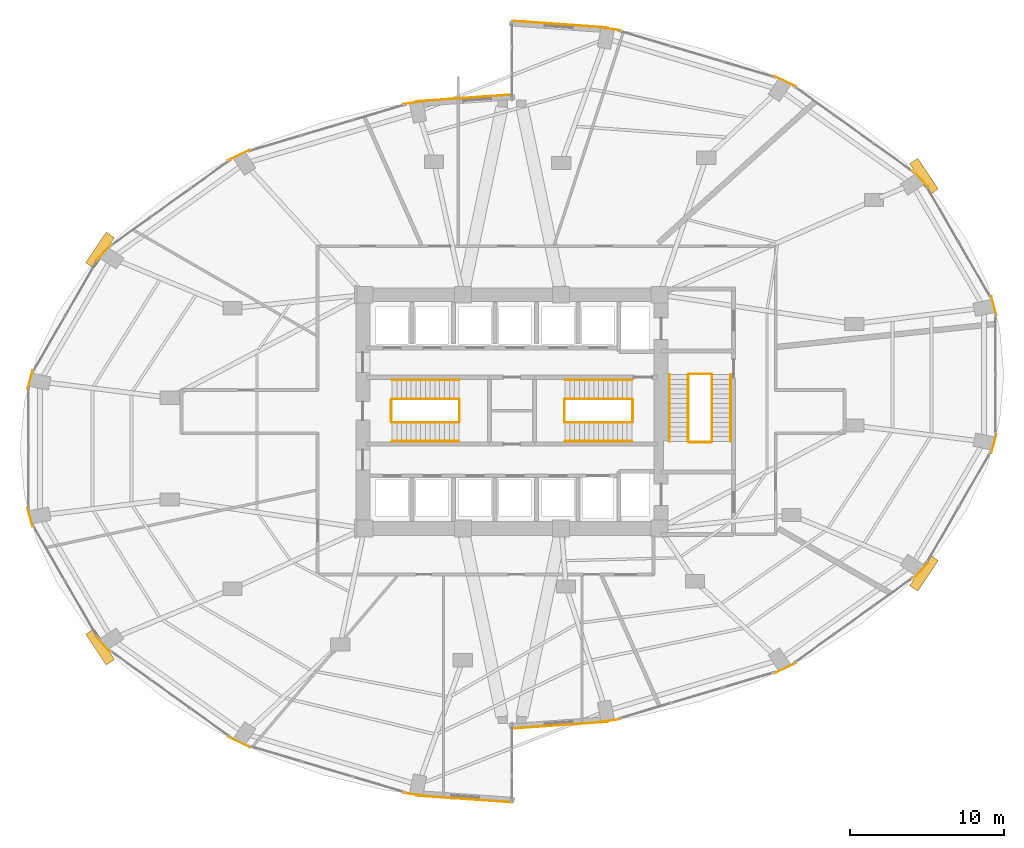
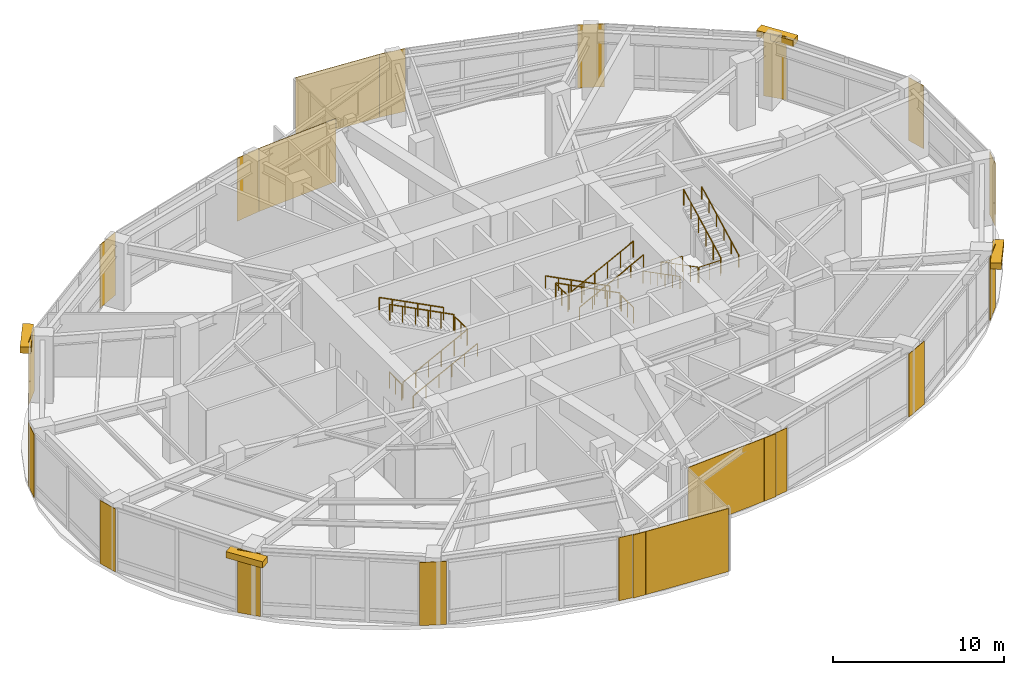
# One storey, part 24 of 24: 20 coverings, 18 railings, 4 shading devices.
"""IFC4 building model written with IfcOpenShell, lengths in metres."""

from ifc_helpers import new_model, si_unit, direction, frame, origin, origin_2d, place, context, subcontext, project, spatial, rectangle, circle, extrude, material, layer, layer_set, type_object, element, save


model = new_model("IFC4")

# Units and contexts
model_context = context("Model", 3, precision=1e-05, world=origin(), true_north=direction((0.0, 1.0)))
body_context = subcontext(model_context, "Body", "Model", "MODEL_VIEW")
ifc_project = project(units=[si_unit("LENGTHUNIT", "METRE"), si_unit("AREAUNIT", "SQUARE_METRE"), si_unit("VOLUMEUNIT", "CUBIC_METRE"), si_unit("PLANEANGLEUNIT", "RADIAN"), si_unit("MASSUNIT", "GRAM", prefix="KILO")], contexts=[model_context])

# Site, building, storey
site_placement = place(None, origin())
site = spatial("IfcSite", under=ifc_project, at=site_placement, CompositionType="ELEMENT")
building_placement = place(site_placement, origin())
building = spatial("IfcBuilding", under=site, at=building_placement, Name="Lazwardi Medical Tower", CompositionType="ELEMENT")
storey_placement = place(building_placement, frame((0.0, 0.0, 6.0)))
storey = spatial("IfcBuildingStorey", under=building, at=storey_placement, Name="L01", CompositionType="ELEMENT", Elevation=6.0)

# Coverings
ifc_material_1 = material(Name="Anodised bronze aluminium cassette cladding", Category="aluminium")
ifc_layer_1 = layer(ifc_material_1, 0.030029296875)
ifc_layer_set_1 = layer_set([ifc_layer_1], Name="Anodised bronze aluminium cassette cladding")
covering_type_1 = type_object("IfcCoveringType", Name="COV-CLD-BRZ", PredefinedType="CLADDING", material=ifc_layer_set_1)
covering_1_placement = place(storey_placement, frame((42.234375, 7.881591796875, 0.0), z_axis=(0.0, 0.0, 1.0), x_axis=(0.989942587141, 0.141469693453, 0.0)))
element("IfcCovering", 1, at=covering_1_placement, inside=storey, type_object=covering_type_1, Name="L01 Mega-column bronze cassette cover M01", PredefinedType="CLADDING", context=body_context, shape_type="SweptSolid", body=[
    extrude(rectangle(XDim=1.71337890625, YDim=0.030029296875, at=origin_2d()), origin(), (0.0, 0.0, 1.0), 4.52001953125),
])
covering_2_placement = place(storey_placement, frame((53.75390625, 11.309814453125, 0.0), z_axis=(0.0, 0.0, 1.0), x_axis=(0.901483824326, 0.432812793801, 0.0)))
element("IfcCovering", 2, at=covering_2_placement, inside=storey, type_object=covering_type_1, Name="L01 Mega-column bronze cassette cover M02", PredefinedType="CLADDING", context=body_context, shape_type="SweptSolid", body=[
    extrude(rectangle(XDim=1.59521484375, YDim=0.030029296875, at=origin_2d()), origin(), (0.0, 0.0, 1.0), 4.52001953125),
])
covering_3_placement = place(storey_placement, frame((62.57080078125, 17.644287109375, 0.0), z_axis=(0.0, 0.0, 1.0), x_axis=(0.681018709816, 0.732266015107, 0.0)))
element("IfcCovering", 3, at=covering_3_placement, inside=storey, type_object=covering_type_1, Name="L01 Mega-column bronze cassette cover M03", PredefinedType="CLADDING", context=body_context, shape_type="SweptSolid", body=[
    extrude(rectangle(XDim=1.410888671875, YDim=0.030029296875, at=origin_2d()), origin(), (0.0, 0.0, 1.0), 4.52001953125),
])
for number, where, z_axis, x_axis, name in (
    (4, (67.34228515625, 25.9208984375, 0.0), (0.0, 0.0, 1.0), (0.266836390112, 0.9637418435, 0.0), "L01 Mega-column bronze cassette cover M04"),
    (5, (67.34228515625, 34.879150390625, 0.0), (0.0, 0.0, 1.0), (-0.266836390112, 0.9637418435, 0.0), "L01 Mega-column bronze cassette cover M05"),
):
    element("IfcCovering", number, at=place(storey_placement, frame(where, z_axis=z_axis, x_axis=x_axis)), inside=storey, type_object=covering_type_1, Name=name, PredefinedType="CLADDING", context=body_context, shape_type="SweptSolid", body=[
        extrude(rectangle(XDim=1.264404296875, YDim=0.030029296875, at=origin_2d()), origin(), (0.0, 0.0, 1.0), 4.52001953125),
    ])
covering_4_placement = place(storey_placement, frame((62.57080078125, 43.155517578125, 0.0), z_axis=(0.0, 0.0, 1.0), x_axis=(-0.681018709816, 0.732266015107, 0.0)))
element("IfcCovering", 6, at=covering_4_placement, inside=storey, type_object=covering_type_1, Name="L01 Mega-column bronze cassette cover M06", PredefinedType="CLADDING", context=body_context, shape_type="SweptSolid", body=[
    extrude(rectangle(XDim=1.410888671875, YDim=0.030029296875, at=origin_2d()), origin(), (0.0, 0.0, 1.0), 4.52001953125),
])
covering_5_placement = place(storey_placement, frame((53.75390625, 49.490234375, 0.0), z_axis=(0.0, 0.0, 1.0), x_axis=(-0.901483824326, 0.432812793801, 0.0)))
element("IfcCovering", 7, at=covering_5_placement, inside=storey, type_object=covering_type_1, Name="L01 Mega-column bronze cassette cover M07", PredefinedType="CLADDING", context=body_context, shape_type="SweptSolid", body=[
    extrude(rectangle(XDim=1.59521484375, YDim=0.030029296875, at=origin_2d()), origin(), (0.0, 0.0, 1.0), 4.52001953125),
])
for number, where, z_axis, x_axis, name in (
    (8, (42.234375, 52.91845703125, 0.0), (0.0, 0.0, 1.0), (-0.989942587141, 0.141469693453, 0.0), "L01 Mega-column bronze cassette cover M08"),
    (9, (29.765625, 48.118408203125, 0.0), (0.0, 0.0, 1.0), (-0.989942587141, -0.141469693453, 0.0), "L01 Mega-column bronze cassette cover M09"),
):
    element("IfcCovering", number, at=place(storey_placement, frame(where, z_axis=z_axis, x_axis=x_axis)), inside=storey, type_object=covering_type_1, Name=name, PredefinedType="CLADDING", context=body_context, shape_type="SweptSolid", body=[
        extrude(rectangle(XDim=1.71337890625, YDim=0.030029296875, at=origin_2d()), origin(), (0.0, 0.0, 1.0), 4.52001953125),
    ])
covering_6_placement = place(storey_placement, frame((18.24609375, 44.690185546875, 0.0), z_axis=(0.0, 0.0, 1.0), x_axis=(-0.901483824326, -0.432812793801, 0.0)))
element("IfcCovering", 10, at=covering_6_placement, inside=storey, type_object=covering_type_1, Name="L01 Mega-column bronze cassette cover M10", PredefinedType="CLADDING", context=body_context, shape_type="SweptSolid", body=[
    extrude(rectangle(XDim=1.59521484375, YDim=0.030029296875, at=origin_2d()), origin(), (0.0, 0.0, 1.0), 4.52001953125),
])
covering_7_placement = place(storey_placement, frame((9.42919921875, 38.355712890625, 0.0), z_axis=(0.0, 0.0, 1.0), x_axis=(-0.681018709816, -0.732266015107, 0.0)))
element("IfcCovering", 11, at=covering_7_placement, inside=storey, type_object=covering_type_1, Name="L01 Mega-column bronze cassette cover M11", PredefinedType="CLADDING", context=body_context, shape_type="SweptSolid", body=[
    extrude(rectangle(XDim=1.410888671875, YDim=0.030029296875, at=origin_2d()), origin(), (0.0, 0.0, 1.0), 4.52001953125),
])
for number, where, z_axis, x_axis, name in (
    (12, (4.65771484375, 30.0791015625, 0.0), (0.0, 0.0, 1.0), (-0.266836390112, -0.9637418435, 0.0), "L01 Mega-column bronze cassette cover M12"),
    (13, (4.65771484375, 21.120849609375, 0.0), (0.0, 0.0, 1.0), (0.266836390112, -0.9637418435, 0.0), "L01 Mega-column bronze cassette cover M13"),
):
    element("IfcCovering", number, at=place(storey_placement, frame(where, z_axis=z_axis, x_axis=x_axis)), inside=storey, type_object=covering_type_1, Name=name, PredefinedType="CLADDING", context=body_context, shape_type="SweptSolid", body=[
        extrude(rectangle(XDim=1.264404296875, YDim=0.030029296875, at=origin_2d()), origin(), (0.0, 0.0, 1.0), 4.52001953125),
    ])
covering_8_placement = place(storey_placement, frame((9.42919921875, 12.844482421875, 0.0), z_axis=(0.0, 0.0, 1.0), x_axis=(0.681018709816, -0.732266015107, 0.0)))
element("IfcCovering", 14, at=covering_8_placement, inside=storey, type_object=covering_type_1, Name="L01 Mega-column bronze cassette cover M14", PredefinedType="CLADDING", context=body_context, shape_type="SweptSolid", body=[
    extrude(rectangle(XDim=1.410888671875, YDim=0.030029296875, at=origin_2d()), origin(), (0.0, 0.0, 1.0), 4.52001953125),
])
covering_9_placement = place(storey_placement, frame((18.24609375, 6.509765625, 0.0), z_axis=(0.0, 0.0, 1.0), x_axis=(0.901483824326, -0.432812793801, 0.0)))
element("IfcCovering", 15, at=covering_9_placement, inside=storey, type_object=covering_type_1, Name="L01 Mega-column bronze cassette cover M15", PredefinedType="CLADDING", context=body_context, shape_type="SweptSolid", body=[
    extrude(rectangle(XDim=1.59521484375, YDim=0.030029296875, at=origin_2d()), origin(), (0.0, 0.0, 1.0), 4.52001953125),
])
covering_10_placement = place(storey_placement, frame((29.765625, 3.08154296875, 0.0), z_axis=(0.0, 0.0, 1.0), x_axis=(0.989942587141, -0.141469693453, 0.0)))
element("IfcCovering", 16, at=covering_10_placement, inside=storey, type_object=covering_type_1, Name="L01 Mega-column bronze cassette cover M16", PredefinedType="CLADDING", context=body_context, shape_type="SweptSolid", body=[
    extrude(rectangle(XDim=1.71337890625, YDim=0.030029296875, at=origin_2d()), origin(), (0.0, 0.0, 1.0), 4.52001953125),
])
ifc_material_2 = material(Name="Turquoise glazed ceramic tilework cladding", Category="masonry")
ifc_layer_2 = layer(ifc_material_2, 0.034912109375)
ifc_layer_set_2 = layer_set([ifc_layer_2], Name="Turquoise glazed ceramic tilework cladding")
covering_type_2 = type_object("IfcCoveringType", Name="COV-CLD-TRQ", PredefinedType="CLADDING", material=ifc_layer_set_2)
for number, where, z_axis, x_axis, name in (
    (17, (39.1181640625, 7.6044921875, 0.0), (0.0, 0.0, 1.0), (0.997513140153, 0.070480743625, 0.0), "L01 Turquoise glazed ceramic tilework cladding"),
    (18, (39.1181640625, 53.195556640625, 0.0), (0.0, 0.0, 1.0), (-0.997513140153, 0.070480743625, 0.0), "L01 Turquoise glazed ceramic tilework cladding"),
):
    element("IfcCovering", number, at=place(storey_placement, frame(where, z_axis=z_axis, x_axis=x_axis)), inside=storey, type_object=covering_type_2, Name=name, PredefinedType="CLADDING", context=body_context, shape_type="SweptSolid", body=[
        extrude(rectangle(XDim=6.227294921875, YDim=0.034912109375, at=origin_2d()), origin(), (0.0, 0.0, 1.0), 4.52001953125),
    ])
for number, where, z_axis, x_axis, name in (
    (19, (32.881591796875, 48.3955078125, 0.0), (0.0, 0.0, 1.0), (-0.99751264808, -0.070487707578, 0.0), "L01 Turquoise glazed ceramic tilework cladding"),
    (20, (32.881591796875, 2.804443359375, 0.0), (0.0, 0.0, 1.0), (0.99751264808, -0.070487707578, 0.0), "L01 Turquoise glazed ceramic tilework cladding"),
):
    element("IfcCovering", number, at=place(storey_placement, frame(where, z_axis=z_axis, x_axis=x_axis)), inside=storey, type_object=covering_type_2, Name=name, PredefinedType="CLADDING", context=body_context, shape_type="SweptSolid", body=[
        extrude(rectangle(XDim=6.2265625, YDim=0.034912109375, at=origin_2d()), origin(), (0.0, 0.0, 1.0), 4.52001953125),
    ])

# Railings
ifc_material_3 = material(Name="Stainless steel Grade 316", Category="steel")
railing_type_1 = type_object("IfcRailingType", Name="RLG-GRD-1150", PredefinedType="GUARDRAIL", material=ifc_material_3)
railing_1_placement = place(storey_placement, frame((28.199951171875, 27.2900390625, 0.159912109375)))
element("IfcRailing", 21, at=railing_1_placement, inside=storey, type_object=railing_type_1, Name="L01 ST1 stair guard 1", PredefinedType="GUARDRAIL", context=body_context, shape_type="SweptSolid", body=[
    extrude(circle(Radius=0.02392578125, at=origin_2d()), frame((0.0, 0.0, 1.1259765625), z_axis=(0.888625257326, 0.0, 0.458634006636), x_axis=(0.0, 1.0, 0.0)), (0.0, 0.0, 1.0), 4.884033203125),
    extrude(circle(Radius=0.02099609375, at=origin_2d()), origin(), (0.0, 0.0, 1.0), 1.099853515625),
    extrude(circle(Radius=0.02099609375, at=origin_2d()), frame((0.867919921875, 0.0, 0.447998046875)), (0.0, 0.0, 1.0), 1.099853515625),
    extrude(circle(Radius=0.02099609375, at=origin_2d()), frame((1.736083984375, 0.0, 0.89599609375)), (0.0, 0.0, 1.0), 1.099853515625),
    extrude(circle(Radius=0.02099609375, at=origin_2d()), frame((2.60400390625, 0.0, 1.343994140625)), (0.0, 0.0, 1.0), 1.099853515625),
    extrude(circle(Radius=0.02099609375, at=origin_2d()), frame((3.47216796875, 0.0, 1.7919921875)), (0.0, 0.0, 1.0), 1.099853515625),
    extrude(circle(Radius=0.02099609375, at=origin_2d()), frame((4.340087890625, 0.0, 2.239990234375)), (0.0, 0.0, 1.0), 1.099853515625),
])
railing_2_placement = place(storey_placement, frame((32.590087890625, 27.340087890625, 2.39990234375)))
element("IfcRailing", 22, at=railing_2_placement, inside=storey, type_object=railing_type_1, Name="L01 ST1 stair guard 2", PredefinedType="GUARDRAIL", context=body_context, shape_type="SweptSolid", body=[
    extrude(circle(Radius=0.02392578125, at=origin_2d()), frame((0.0, 0.0, 1.1259765625), z_axis=(0.0, 1.0, 0.0), x_axis=(-1.0, 0.0, 0.0)), (0.0, 0.0, 1.0), 1.43994140625),
    extrude(circle(Radius=0.02099609375, at=origin_2d()), origin(), (0.0, 0.0, 1.0), 1.099853515625),
    extrude(circle(Radius=0.02099609375, at=origin_2d()), frame((0.0, 0.719970703125, 0.0)), (0.0, 0.0, 1.0), 1.099853515625),
    extrude(circle(Radius=0.02099609375, at=origin_2d()), frame((0.0, 1.43994140625, 0.0)), (0.0, 0.0, 1.0), 1.099853515625),
])
railing_3_placement = place(storey_placement, frame((32.5400390625, 28.830078125, 2.56005859375)))
element("IfcRailing", 23, at=railing_3_placement, inside=storey, type_object=railing_type_1, Name="L01 ST1 stair guard 3", PredefinedType="GUARDRAIL", context=body_context, shape_type="SweptSolid", body=[
    extrude(circle(Radius=0.02392578125, at=origin_2d()), frame((0.0, 0.0, 1.1259765625), z_axis=(-0.888625257326, 0.0, 0.458634006636), x_axis=(0.0, -1.0, 0.0)), (0.0, 0.0, 1.0), 4.884033203125),
    extrude(circle(Radius=0.02099609375, at=origin_2d()), origin(), (0.0, 0.0, 1.0), 1.099853515625),
    extrude(circle(Radius=0.02099609375, at=origin_2d()), frame((-0.867919921875, 0.0, 0.447998046875)), (0.0, 0.0, 1.0), 1.099853515625),
    extrude(circle(Radius=0.02099609375, at=origin_2d()), frame((-1.736083984375, 0.0, 0.89599609375)), (0.0, 0.0, 1.0), 1.099853515625),
    extrude(circle(Radius=0.02099609375, at=origin_2d()), frame((-2.60400390625, 0.0, 1.343994140625)), (0.0, 0.0, 1.0), 1.099853515625),
    extrude(circle(Radius=0.02099609375, at=origin_2d()), frame((-3.47216796875, 0.0, 1.7919921875)), (0.0, 0.0, 1.0), 1.099853515625),
    extrude(circle(Radius=0.02099609375, at=origin_2d()), frame((-4.340087890625, 0.0, 2.239990234375)), (0.0, 0.0, 1.0), 1.099853515625),
])
railing_4_placement = place(storey_placement, frame((28.14990234375, 27.340087890625, 0.0)))
element("IfcRailing", 24, at=railing_4_placement, inside=storey, type_object=railing_type_1, Name="L01 ST1 stair guard 4", PredefinedType="GUARDRAIL", context=body_context, shape_type="SweptSolid", body=[
    extrude(circle(Radius=0.02392578125, at=origin_2d()), frame((0.0, 0.0, 1.1259765625), z_axis=(0.0, 1.0, 0.0), x_axis=(-1.0, 0.0, 0.0)), (0.0, 0.0, 1.0), 1.43994140625),
    extrude(circle(Radius=0.02099609375, at=origin_2d()), origin(), (0.0, 0.0, 1.0), 1.099853515625),
    extrude(circle(Radius=0.02099609375, at=origin_2d()), frame((0.0, 0.719970703125, 0.0)), (0.0, 0.0, 1.0), 1.099853515625),
    extrude(circle(Radius=0.02099609375, at=origin_2d()), frame((0.0, 1.43994140625, 0.0)), (0.0, 0.0, 1.0), 1.099853515625),
])
railing_5_placement = place(storey_placement, frame((43.800048828125, 28.830078125, 0.159912109375)))
element("IfcRailing", 25, at=railing_5_placement, inside=storey, type_object=railing_type_1, Name="L01 ST2 stair guard 1", PredefinedType="GUARDRAIL", context=body_context, shape_type="SweptSolid", body=[
    extrude(circle(Radius=0.02392578125, at=origin_2d()), frame((0.0, 0.0, 1.1259765625), z_axis=(-0.888625257326, 0.0, 0.458634006636), x_axis=(0.0, -1.0, 0.0)), (0.0, 0.0, 1.0), 4.884033203125),
    extrude(circle(Radius=0.02099609375, at=origin_2d()), origin(), (0.0, 0.0, 1.0), 1.099853515625),
    extrude(circle(Radius=0.02099609375, at=origin_2d()), frame((-0.867919921875, 0.0, 0.447998046875)), (0.0, 0.0, 1.0), 1.099853515625),
    extrude(circle(Radius=0.02099609375, at=origin_2d()), frame((-1.736083984375, 0.0, 0.89599609375)), (0.0, 0.0, 1.0), 1.099853515625),
    extrude(circle(Radius=0.02099609375, at=origin_2d()), frame((-2.60400390625, 0.0, 1.343994140625)), (0.0, 0.0, 1.0), 1.099853515625),
    extrude(circle(Radius=0.02099609375, at=origin_2d()), frame((-3.47216796875, 0.0, 1.7919921875)), (0.0, 0.0, 1.0), 1.099853515625),
    extrude(circle(Radius=0.02099609375, at=origin_2d()), frame((-4.340087890625, 0.0, 2.239990234375)), (0.0, 0.0, 1.0), 1.099853515625),
])
railing_6_placement = place(storey_placement, frame((39.409912109375, 28.780029296875, 2.39990234375)))
element("IfcRailing", 26, at=railing_6_placement, inside=storey, type_object=railing_type_1, Name="L01 ST2 stair guard 2", PredefinedType="GUARDRAIL", context=body_context, shape_type="SweptSolid", body=[
    extrude(circle(Radius=0.02392578125, at=origin_2d()), frame((0.0, 0.0, 1.1259765625), z_axis=(0.0, -1.0, 0.0), x_axis=(1.0, 0.0, 0.0)), (0.0, 0.0, 1.0), 1.43994140625),
    extrude(circle(Radius=0.02099609375, at=origin_2d()), origin(), (0.0, 0.0, 1.0), 1.099853515625),
    extrude(circle(Radius=0.02099609375, at=origin_2d()), frame((0.0, -0.719970703125, 0.0)), (0.0, 0.0, 1.0), 1.099853515625),
    extrude(circle(Radius=0.02099609375, at=origin_2d()), frame((0.0, -1.43994140625, 0.0)), (0.0, 0.0, 1.0), 1.099853515625),
])
railing_7_placement = place(storey_placement, frame((39.4599609375, 27.2900390625, 2.56005859375)))
element("IfcRailing", 27, at=railing_7_placement, inside=storey, type_object=railing_type_1, Name="L01 ST2 stair guard 3", PredefinedType="GUARDRAIL", context=body_context, shape_type="SweptSolid", body=[
    extrude(circle(Radius=0.02392578125, at=origin_2d()), frame((0.0, 0.0, 1.1259765625), z_axis=(0.888625257326, 0.0, 0.458634006636), x_axis=(0.0, 1.0, 0.0)), (0.0, 0.0, 1.0), 4.884033203125),
    extrude(circle(Radius=0.02099609375, at=origin_2d()), origin(), (0.0, 0.0, 1.0), 1.099853515625),
    extrude(circle(Radius=0.02099609375, at=origin_2d()), frame((0.867919921875, 0.0, 0.447998046875)), (0.0, 0.0, 1.0), 1.099853515625),
    extrude(circle(Radius=0.02099609375, at=origin_2d()), frame((1.736083984375, 0.0, 0.89599609375)), (0.0, 0.0, 1.0), 1.099853515625),
    extrude(circle(Radius=0.02099609375, at=origin_2d()), frame((2.60400390625, 0.0, 1.343994140625)), (0.0, 0.0, 1.0), 1.099853515625),
    extrude(circle(Radius=0.02099609375, at=origin_2d()), frame((3.47216796875, 0.0, 1.7919921875)), (0.0, 0.0, 1.0), 1.099853515625),
    extrude(circle(Radius=0.02099609375, at=origin_2d()), frame((4.340087890625, 0.0, 2.239990234375)), (0.0, 0.0, 1.0), 1.099853515625),
])
railing_8_placement = place(storey_placement, frame((43.85009765625, 28.780029296875, 0.0)))
element("IfcRailing", 28, at=railing_8_placement, inside=storey, type_object=railing_type_1, Name="L01 ST2 stair guard 4", PredefinedType="GUARDRAIL", context=body_context, shape_type="SweptSolid", body=[
    extrude(circle(Radius=0.02392578125, at=origin_2d()), frame((0.0, 0.0, 1.1259765625), z_axis=(0.0, -1.0, 0.0), x_axis=(1.0, 0.0, 0.0)), (0.0, 0.0, 1.0), 1.43994140625),
    extrude(circle(Radius=0.02099609375, at=origin_2d()), origin(), (0.0, 0.0, 1.0), 1.099853515625),
    extrude(circle(Radius=0.02099609375, at=origin_2d()), frame((0.0, -0.719970703125, 0.0)), (0.0, 0.0, 1.0), 1.099853515625),
    extrude(circle(Radius=0.02099609375, at=origin_2d()), frame((0.0, -1.43994140625, 0.0)), (0.0, 0.0, 1.0), 1.099853515625),
])
railing_9_placement = place(storey_placement, frame((47.469970703125, 30.39990234375, 0.159912109375)))
element("IfcRailing", 29, at=railing_9_placement, inside=storey, type_object=railing_type_1, Name="L01 ST3 stair guard 1", PredefinedType="GUARDRAIL", context=body_context, shape_type="SweptSolid", body=[
    extrude(circle(Radius=0.02392578125, at=origin_2d()), frame((0.0, 0.0, 1.1259765625), z_axis=(0.0, -0.888614742027, 0.458654379956), x_axis=(1.0, 0.0, 0.0)), (0.0, 0.0, 1.0), 4.8837890625),
    extrude(circle(Radius=0.02099609375, at=origin_2d()), origin(), (0.0, 0.0, 1.0), 1.099853515625),
    extrude(circle(Radius=0.02099609375, at=origin_2d()), frame((0.0, -0.867919921875, 0.447998046875)), (0.0, 0.0, 1.0), 1.099853515625),
    extrude(circle(Radius=0.02099609375, at=origin_2d()), frame((0.0, -1.73583984375, 0.89599609375)), (0.0, 0.0, 1.0), 1.099853515625),
    extrude(circle(Radius=0.02099609375, at=origin_2d()), frame((0.0, -2.60400390625, 1.343994140625)), (0.0, 0.0, 1.0), 1.099853515625),
    extrude(circle(Radius=0.02099609375, at=origin_2d()), frame((0.0, -3.471923828125, 1.7919921875)), (0.0, 0.0, 1.0), 1.099853515625),
    extrude(circle(Radius=0.02099609375, at=origin_2d()), frame((0.0, -4.33984375, 2.239990234375)), (0.0, 0.0, 1.0), 1.099853515625),
])
railing_10_placement = place(storey_placement, frame((47.52001953125, 26.010009765625, 2.39990234375)))
element("IfcRailing", 30, at=railing_10_placement, inside=storey, type_object=railing_type_1, Name="L01 ST3 stair guard 2", PredefinedType="GUARDRAIL", context=body_context, shape_type="SweptSolid", body=[
    extrude(circle(Radius=0.02392578125, at=origin_2d()), frame((0.0, 0.0, 1.1259765625), z_axis=(1.0, 0.0, 0.0), x_axis=(0.0, 1.0, 0.0)), (0.0, 0.0, 1.0), 1.43994140625),
    extrude(circle(Radius=0.02099609375, at=origin_2d()), origin(), (0.0, 0.0, 1.0), 1.099853515625),
    extrude(circle(Radius=0.02099609375, at=origin_2d()), frame((0.719970703125, 0.0, 0.0)), (0.0, 0.0, 1.0), 1.099853515625),
    extrude(circle(Radius=0.02099609375, at=origin_2d()), frame((1.43994140625, 0.0, 0.0)), (0.0, 0.0, 1.0), 1.099853515625),
])
railing_11_placement = place(storey_placement, frame((49.010009765625, 26.06005859375, 2.56005859375)))
element("IfcRailing", 31, at=railing_11_placement, inside=storey, type_object=railing_type_1, Name="L01 ST3 stair guard 3", PredefinedType="GUARDRAIL", context=body_context, shape_type="SweptSolid", body=[
    extrude(circle(Radius=0.02392578125, at=origin_2d()), frame((0.0, 0.0, 1.1259765625), z_axis=(0.0, 0.888614742027, 0.458654379956), x_axis=(-1.0, 0.0, 0.0)), (0.0, 0.0, 1.0), 4.8837890625),
    extrude(circle(Radius=0.02099609375, at=origin_2d()), origin(), (0.0, 0.0, 1.0), 1.099853515625),
    extrude(circle(Radius=0.02099609375, at=origin_2d()), frame((0.0, 0.867919921875, 0.447998046875)), (0.0, 0.0, 1.0), 1.099853515625),
    extrude(circle(Radius=0.02099609375, at=origin_2d()), frame((0.0, 1.73583984375, 0.89599609375)), (0.0, 0.0, 1.0), 1.099853515625),
    extrude(circle(Radius=0.02099609375, at=origin_2d()), frame((0.0, 2.60400390625, 1.343994140625)), (0.0, 0.0, 1.0), 1.099853515625),
    extrude(circle(Radius=0.02099609375, at=origin_2d()), frame((0.0, 3.471923828125, 1.7919921875)), (0.0, 0.0, 1.0), 1.099853515625),
    extrude(circle(Radius=0.02099609375, at=origin_2d()), frame((0.0, 4.33984375, 2.239990234375)), (0.0, 0.0, 1.0), 1.099853515625),
])
railing_12_placement = place(storey_placement, frame((47.52001953125, 30.449951171875, 0.0)))
element("IfcRailing", 32, at=railing_12_placement, inside=storey, type_object=railing_type_1, Name="L01 ST3 stair guard 4", PredefinedType="GUARDRAIL", context=body_context, shape_type="SweptSolid", body=[
    extrude(circle(Radius=0.02392578125, at=origin_2d()), frame((0.0, 0.0, 1.1259765625), z_axis=(1.0, 0.0, 0.0), x_axis=(0.0, 1.0, 0.0)), (0.0, 0.0, 1.0), 1.43994140625),
    extrude(circle(Radius=0.02099609375, at=origin_2d()), origin(), (0.0, 0.0, 1.0), 1.099853515625),
    extrude(circle(Radius=0.02099609375, at=origin_2d()), frame((0.719970703125, 0.0, 0.0)), (0.0, 0.0, 1.0), 1.099853515625),
    extrude(circle(Radius=0.02099609375, at=origin_2d()), frame((1.43994140625, 0.0, 0.0)), (0.0, 0.0, 1.0), 1.099853515625),
])
railing_type_2 = type_object("IfcRailingType", Name="RLG-HND-920", PredefinedType="HANDRAIL", material=ifc_material_3)
railing_13_placement = place(storey_placement, frame((28.199951171875, 26.070068359375, 0.159912109375)))
element("IfcRailing", 33, at=railing_13_placement, inside=storey, type_object=railing_type_2, Name="L01 ST1 stair handrail 1", PredefinedType="HANDRAIL", context=body_context, shape_type="SweptSolid", body=[
    extrude(circle(Radius=0.02392578125, at=origin_2d()), frame((0.0, 0.0, 0.8857421875), z_axis=(0.888625257326, 0.0, 0.458634006636), x_axis=(0.0, 1.0, 0.0)), (0.0, 0.0, 1.0), 4.884033203125),
    extrude(circle(Radius=0.02099609375, at=origin_2d()), origin(), (0.0, 0.0, 1.0), 0.85986328125),
    extrude(circle(Radius=0.02099609375, at=origin_2d()), frame((0.867919921875, 0.0, 0.447998046875)), (0.0, 0.0, 1.0), 0.85986328125),
    extrude(circle(Radius=0.02099609375, at=origin_2d()), frame((1.736083984375, 0.0, 0.89599609375)), (0.0, 0.0, 1.0), 0.85986328125),
    extrude(circle(Radius=0.02099609375, at=origin_2d()), frame((2.60400390625, 0.0, 1.343994140625)), (0.0, 0.0, 1.0), 0.85986328125),
    extrude(circle(Radius=0.02099609375, at=origin_2d()), frame((3.47216796875, 0.0, 1.7919921875)), (0.0, 0.0, 1.0), 0.85986328125),
    extrude(circle(Radius=0.02099609375, at=origin_2d()), frame((4.340087890625, 0.0, 2.239990234375)), (0.0, 0.0, 1.0), 0.85986328125),
])
for number, where, name in (
    (34, (32.5400390625, 30.050048828125, 2.56005859375), "L01 ST1 stair handrail 2"),
    (35, (43.800048828125, 30.050048828125, 0.159912109375), "L01 ST2 stair handrail 1"),
):
    element("IfcRailing", number, at=place(storey_placement, frame(where)), inside=storey, type_object=railing_type_2, Name=name, PredefinedType="HANDRAIL", context=body_context, shape_type="SweptSolid", body=[
        extrude(circle(Radius=0.02392578125, at=origin_2d()), frame((0.0, 0.0, 0.8857421875), z_axis=(-0.888625257326, 0.0, 0.458634006636), x_axis=(0.0, -1.0, 0.0)), (0.0, 0.0, 1.0), 4.884033203125),
        extrude(circle(Radius=0.02099609375, at=origin_2d()), origin(), (0.0, 0.0, 1.0), 0.85986328125),
        extrude(circle(Radius=0.02099609375, at=origin_2d()), frame((-0.867919921875, 0.0, 0.447998046875)), (0.0, 0.0, 1.0), 0.85986328125),
        extrude(circle(Radius=0.02099609375, at=origin_2d()), frame((-1.736083984375, 0.0, 0.89599609375)), (0.0, 0.0, 1.0), 0.85986328125),
        extrude(circle(Radius=0.02099609375, at=origin_2d()), frame((-2.60400390625, 0.0, 1.343994140625)), (0.0, 0.0, 1.0), 0.85986328125),
        extrude(circle(Radius=0.02099609375, at=origin_2d()), frame((-3.47216796875, 0.0, 1.7919921875)), (0.0, 0.0, 1.0), 0.85986328125),
        extrude(circle(Radius=0.02099609375, at=origin_2d()), frame((-4.340087890625, 0.0, 2.239990234375)), (0.0, 0.0, 1.0), 0.85986328125),
    ])
railing_14_placement = place(storey_placement, frame((39.4599609375, 26.070068359375, 2.56005859375)))
element("IfcRailing", 36, at=railing_14_placement, inside=storey, type_object=railing_type_2, Name="L01 ST2 stair handrail 2", PredefinedType="HANDRAIL", context=body_context, shape_type="SweptSolid", body=[
    extrude(circle(Radius=0.02392578125, at=origin_2d()), frame((0.0, 0.0, 0.8857421875), z_axis=(0.888625257326, 0.0, 0.458634006636), x_axis=(0.0, 1.0, 0.0)), (0.0, 0.0, 1.0), 4.884033203125),
    extrude(circle(Radius=0.02099609375, at=origin_2d()), origin(), (0.0, 0.0, 1.0), 0.85986328125),
    extrude(circle(Radius=0.02099609375, at=origin_2d()), frame((0.867919921875, 0.0, 0.447998046875)), (0.0, 0.0, 1.0), 0.85986328125),
    extrude(circle(Radius=0.02099609375, at=origin_2d()), frame((1.736083984375, 0.0, 0.89599609375)), (0.0, 0.0, 1.0), 0.85986328125),
    extrude(circle(Radius=0.02099609375, at=origin_2d()), frame((2.60400390625, 0.0, 1.343994140625)), (0.0, 0.0, 1.0), 0.85986328125),
    extrude(circle(Radius=0.02099609375, at=origin_2d()), frame((3.47216796875, 0.0, 1.7919921875)), (0.0, 0.0, 1.0), 0.85986328125),
    extrude(circle(Radius=0.02099609375, at=origin_2d()), frame((4.340087890625, 0.0, 2.239990234375)), (0.0, 0.0, 1.0), 0.85986328125),
])
railing_15_placement = place(storey_placement, frame((46.25, 30.39990234375, 0.159912109375)))
element("IfcRailing", 37, at=railing_15_placement, inside=storey, type_object=railing_type_2, Name="L01 ST3 stair handrail 1", PredefinedType="HANDRAIL", context=body_context, shape_type="SweptSolid", body=[
    extrude(circle(Radius=0.02392578125, at=origin_2d()), frame((0.0, 0.0, 0.8857421875), z_axis=(0.0, -0.888614742027, 0.458654379956), x_axis=(1.0, 0.0, 0.0)), (0.0, 0.0, 1.0), 4.8837890625),
    extrude(circle(Radius=0.02099609375, at=origin_2d()), origin(), (0.0, 0.0, 1.0), 0.85986328125),
    extrude(circle(Radius=0.02099609375, at=origin_2d()), frame((0.0, -0.867919921875, 0.447998046875)), (0.0, 0.0, 1.0), 0.85986328125),
    extrude(circle(Radius=0.02099609375, at=origin_2d()), frame((0.0, -1.73583984375, 0.89599609375)), (0.0, 0.0, 1.0), 0.85986328125),
    extrude(circle(Radius=0.02099609375, at=origin_2d()), frame((0.0, -2.60400390625, 1.343994140625)), (0.0, 0.0, 1.0), 0.85986328125),
    extrude(circle(Radius=0.02099609375, at=origin_2d()), frame((0.0, -3.471923828125, 1.7919921875)), (0.0, 0.0, 1.0), 0.85986328125),
    extrude(circle(Radius=0.02099609375, at=origin_2d()), frame((0.0, -4.33984375, 2.239990234375)), (0.0, 0.0, 1.0), 0.85986328125),
])
railing_16_placement = place(storey_placement, frame((50.22998046875, 26.06005859375, 2.56005859375)))
element("IfcRailing", 38, at=railing_16_placement, inside=storey, type_object=railing_type_2, Name="L01 ST3 stair handrail 2", PredefinedType="HANDRAIL", context=body_context, shape_type="SweptSolid", body=[
    extrude(circle(Radius=0.02392578125, at=origin_2d()), frame((0.0, 0.0, 0.8857421875), z_axis=(0.0, 0.888614742027, 0.458654379956), x_axis=(-1.0, 0.0, 0.0)), (0.0, 0.0, 1.0), 4.8837890625),
    extrude(circle(Radius=0.02099609375, at=origin_2d()), origin(), (0.0, 0.0, 1.0), 0.85986328125),
    extrude(circle(Radius=0.02099609375, at=origin_2d()), frame((0.0, 0.867919921875, 0.447998046875)), (0.0, 0.0, 1.0), 0.85986328125),
    extrude(circle(Radius=0.02099609375, at=origin_2d()), frame((0.0, 1.73583984375, 0.89599609375)), (0.0, 0.0, 1.0), 0.85986328125),
    extrude(circle(Radius=0.02099609375, at=origin_2d()), frame((0.0, 2.60400390625, 1.343994140625)), (0.0, 0.0, 1.0), 0.85986328125),
    extrude(circle(Radius=0.02099609375, at=origin_2d()), frame((0.0, 3.471923828125, 1.7919921875)), (0.0, 0.0, 1.0), 0.85986328125),
    extrude(circle(Radius=0.02099609375, at=origin_2d()), frame((0.0, 4.33984375, 2.239990234375)), (0.0, 0.0, 1.0), 0.85986328125),
])

# Shading devices
ifc_material_4 = material(Name="Anodised bronze aluminium sunshade", Category="aluminium")
shading_device_type = type_object("IfcShadingDeviceType", Name="SHD-SUN-01", PredefinedType="USERDEFINED", material=ifc_material_4)
for number, where, z_axis, x_axis, name in (
    (39, (62.7900390625, 17.499755859375, 4.044921875), (0.0, 0.0, 1.0), (0.55557023302, 0.831469612303, 0.0), "L01 Podium Diagnostic Sunshade 1"),
    (40, (62.7900390625, 43.30029296875, 4.044921875), (0.0, 0.0, 1.0), (-0.55557023302, 0.831469612303, 0.0), "L01 Podium Diagnostic Sunshade 2"),
    (41, (9.2099609375, 38.500244140625, 4.044921875), (0.0, 0.0, 1.0), (-0.55557023302, -0.831469612303, 0.0), "L01 Podium Diagnostic Sunshade 3"),
    (42, (9.2099609375, 12.69970703125, 4.044921875), (0.0, 0.0, 1.0), (0.55557023302, -0.831469612303, 0.0), "L01 Podium Diagnostic Sunshade 4"),
):
    element("IfcShadingDevice", number, at=place(storey_placement, frame(where, z_axis=z_axis, x_axis=x_axis)), inside=storey, type_object=shading_device_type, Name=name, ObjectType="SUNSHADE", PredefinedType="USERDEFINED", context=body_context, shape_type="SweptSolid", body=[
        extrude(rectangle(XDim=2.39990234375, YDim=0.64990234375, at=origin_2d()), origin(), (0.0, 0.0, 1.0), 0.449951171875),
    ])

save(model, "model.ifc")
